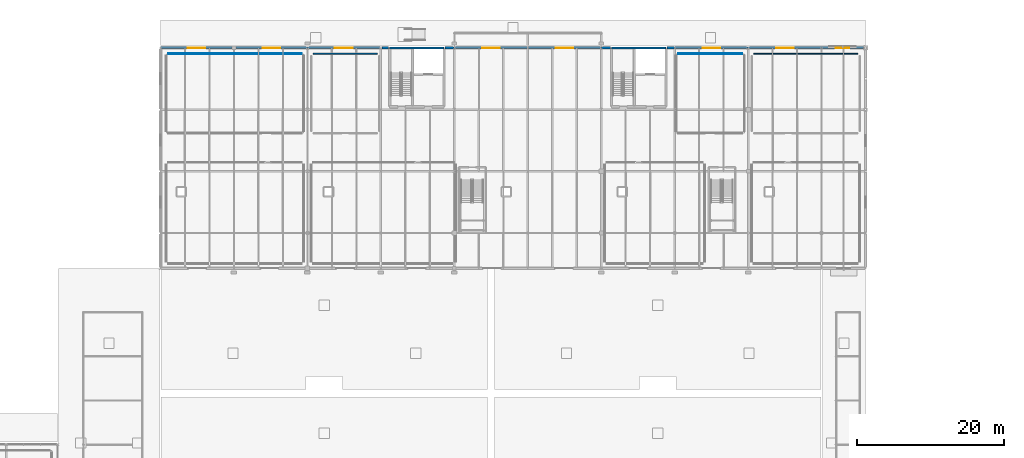
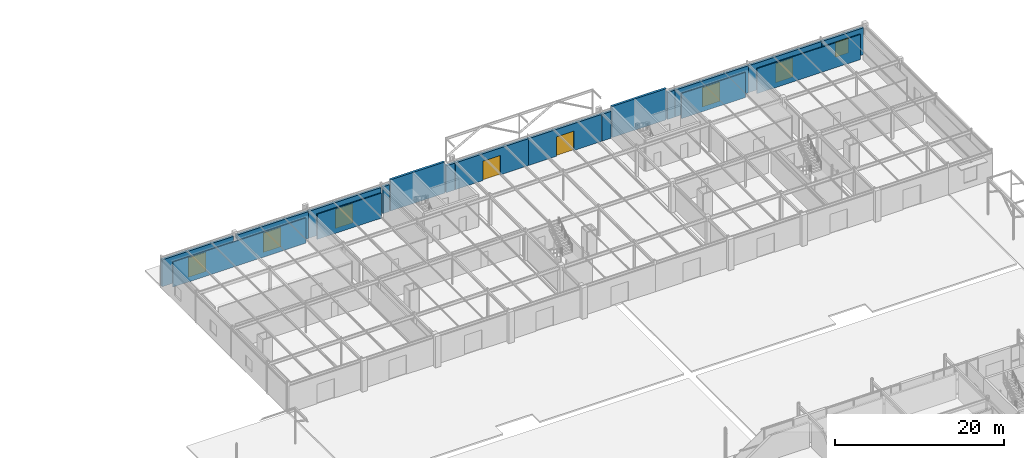
# One storey, part 97 of 119: 18 walls, 7 doors, 1 window, 8 openings.
"""IFC4 building model written with IfcOpenShell, lengths in metres."""

from ifc_helpers import new_model, si_unit, derived_unit, direction, frame, frame_2d, origin, place, context, subcontext, project, spatial, rectangle, extrude, material, layer, layer_set, type_object, element, fill, save


model = new_model("IFC4")

# Units and contexts
model_context = context("Model", 3, precision=1e-05, world=origin(), true_north=direction((0.0, 1.0)))
body_context = subcontext(model_context, "Body", "Model", "MODEL_VIEW")
ifc_project = project(units=[si_unit("LENGTHUNIT", "METRE"), si_unit("AREAUNIT", "SQUARE_METRE"), si_unit("VOLUMEUNIT", "CUBIC_METRE"), si_unit("PLANEANGLEUNIT", "RADIAN"), si_unit("MASSUNIT", "GRAM", prefix="KILO"), derived_unit("THERMALTRANSMITTANCEUNIT", [(si_unit("POWERUNIT", "WATT"), 1), (si_unit("LENGTHUNIT", "METRE"), -2), (si_unit("THERMODYNAMICTEMPERATUREUNIT", "KELVIN"), -1)])], contexts=[model_context])

# Site, building, storey
site_placement = place(None, origin())
site = spatial("IfcSite", under=ifc_project, at=site_placement, CompositionType="ELEMENT")
building_placement = place(site_placement, origin())
building = spatial("IfcBuilding", under=site, at=building_placement, Name="Cinnabar Yard Market Hall", CompositionType="ELEMENT")
storey_placement = place(building_placement, origin())
storey = spatial("IfcBuildingStorey", under=building, at=storey_placement, Name="L00", CompositionType="ELEMENT", Elevation=0.0)

# Walls
ifc_material_1 = material(Name="Acoustic steel-stud plasterboard", Category="steel")
ifc_layer_1 = layer(ifc_material_1, 0.1201171875)
ifc_layer_set_1 = layer_set([ifc_layer_1], Name="Acoustic steel-stud plasterboard")
wall_type_1 = type_object("IfcWallType", Name="WL-PT120", PredefinedType="PARTITIONING", material=ifc_layer_set_1)
wall_1_placement = place(storey_placement, frame((85.219970703125, 137.199951171875, 0.0), z_axis=(0.0, 0.0, 1.0), x_axis=(-1.0, 0.0, 0.0)))
element("IfcWall", 1, at=wall_1_placement, inside=storey, type_object=wall_type_1, Name="Partition Producers Community Room 01 north", PredefinedType="PARTITIONING", context=body_context, shape_type="SweptSolid", body=[
    extrude(rectangle(XDim=18.139892578125, YDim=0.1201171875, at=frame_2d((9.06982421875, 0.0), x_axis=(1.0, 0.0))), origin(), (0.0, 0.0, 1.0), 3.6201171875),
])
wall_2_placement = place(storey_placement, frame((145.219970703125, 137.199951171875, 0.0), z_axis=(0.0, 0.0, 1.0), x_axis=(-1.0, 0.0, 0.0)))
element("IfcWall", 2, at=wall_2_placement, inside=storey, type_object=wall_type_1, Name="Partition Market Heritage Community Room 02 north", PredefinedType="PARTITIONING", context=body_context, shape_type="SweptSolid", body=[
    extrude(rectangle(XDim=8.739990234375, YDim=0.1201171875, at=frame_2d((4.3701171875, 0.0), x_axis=(1.0, 0.0))), origin(), (0.0, 0.0, 1.0), 3.6201171875),
])
ifc_material_2 = material(Name="Moisture-resistant tiled service wall")
ifc_layer_2 = layer(ifc_material_2, 0.139892578125)
ifc_layer_set_2 = layer_set([ifc_layer_2], Name="Moisture-resistant tiled service wall")
wall_type_2 = type_object("IfcWallType", Name="WL-PT140", PredefinedType="PLUMBINGWALL", material=ifc_layer_set_2)
wall_3_placement = place(storey_placement, frame((160.919921875, 137.199951171875, 0.0), z_axis=(0.0, 0.0, 1.0), x_axis=(-1.0, 0.0, 0.0)))
element("IfcWall", 3, at=wall_3_placement, inside=storey, type_object=wall_type_2, Name="Partition North Wing Public and Accessible WC north", PredefinedType="PLUMBINGWALL", context=body_context, shape_type="SweptSolid", body=[
    extrude(rectangle(XDim=14.139892578125, YDim=0.139892578125, at=frame_2d((7.06982421875, 0.0), x_axis=(1.0, 0.0))), origin(), (0.0, 0.0, 1.0), 3.6201171875),
])
ifc_material_3 = material(Name="Fire-rated steel-stud plasterboard", Category="steel")
ifc_layer_3 = layer(ifc_material_3, 0.14990234375)
ifc_layer_set_3 = layer_set([ifc_layer_3], Name="Fire-rated steel-stud plasterboard")
wall_type_3 = type_object("IfcWallType", Name="WL-PT150", PredefinedType="PARTITIONING", material=ifc_layer_set_3)
wall_4_placement = place(storey_placement, frame((95.52001953125, 137.199951171875, 0.0), z_axis=(0.0, 0.0, 1.0), x_axis=(-1.0, 0.0, 0.0)))
element("IfcWall", 4, at=wall_4_placement, inside=storey, type_object=wall_type_3, Name="Partition Fire Control Room north", PredefinedType="PARTITIONING", context=body_context, shape_type="SweptSolid", body=[
    extrude(rectangle(XDim=8.739990234375, YDim=0.14990234375, at=frame_2d((4.3701171875, 0.0), x_axis=(1.0, 0.0))), origin(), (0.0, 0.0, 1.0), 3.6201171875),
])
ifc_material_4 = material(Name="Concrete 40 MPa", Category="concrete")
ifc_layer_4 = layer(ifc_material_4, 0.300048828125)
ifc_layer_set_4 = layer_set([ifc_layer_4], Name="Concrete 40 MPa")
wall_type_4 = type_object("IfcWallType", Name="WL-W-CORE", PredefinedType="SHEAR", material=ifc_layer_set_4)
for number, where, z_axis, x_axis, name in (
    (5, (104.60009765625, 138.0, 0.0), (0.0, 0.0, 1.0), (-1.0, 0.0, 0.0), "Core C5 North Shear Wall L00"),
    (6, (134.800048828125, 138.0, 0.0), (0.0, 0.0, 1.0), (-1.0, 0.0, 0.0), "Core C6 North Shear Wall L00"),
):
    element("IfcWall", number, at=place(storey_placement, frame(where, z_axis=z_axis, x_axis=x_axis)), inside=storey, type_object=wall_type_4, Name=name, PredefinedType="SHEAR", context=body_context, shape_type="SweptSolid", body=[
        extrude(rectangle(XDim=7.400146484375, YDim=0.300048828125, at=frame_2d((3.7001953125, 0.0), x_axis=(1.0, 0.0))), origin(), (0.0, 0.0, 1.0), 4.5),
    ])

# Wall, opening, door
ifc_material_5 = material(Name="Red sandstone ashlar over Concrete 32 MPa", Category="masonry")
ifc_layer_5 = layer(ifc_material_5, 0.35009765625)
ifc_layer_set_5 = layer_set([ifc_layer_5], Name="Red sandstone ashlar over Concrete 32 MPa")
wall_type_5 = type_object("IfcWallType", Name="WL-W-EXT1", PredefinedType="SOLIDWALL", material=ifc_layer_set_5)
wall_5_placement = place(storey_placement, frame((75.74609375, 138.0, 0.0), z_axis=(0.0, 0.0, 1.0), x_axis=(-1.0, 0.0, 0.0)))
wall_5 = element("IfcWall", 7, at=wall_5_placement, inside=storey, type_object=wall_type_5, Name="Wing North Wall L00 Bay 1", PredefinedType="SOLIDWALL", context=body_context, shape_type="SweptSolid", body=[
    extrude(rectangle(XDim=9.736083984375, YDim=0.35009765625, at=frame_2d((4.8681640625, 0.0), x_axis=(1.0, 0.0))), origin(), (0.0, 0.0, 1.0), 3.8798828125),
])
opening_1_placement = place(wall_5_placement, frame((3.66796875, 0.0, 0.0)))
opening_1 = element("IfcOpeningElement", 8, at=opening_1_placement, cuts=wall_5, Name="Opening ED-022", PredefinedType="OPENING", context=body_context, shape_type="SweptSolid", body=[
    extrude(rectangle(XDim=2.39990234375, YDim=2.800048828125, at=frame_2d((1.199951171875, 1.39990234375), x_axis=(1.0, 0.0))), frame((0.0, 0.18505859375, 0.0), z_axis=(0.0, -1.0, 0.0), x_axis=(1.0, 0.0, 0.0)), (0.0, 0.0, 1.0), 0.3701171875),
])
ifc_material_6 = material(Name="Anodised bronze aluminium and toughened glass", Category="aluminium")
door_type = type_object("IfcDoorType", Name="DR-D02", OperationType="NOTDEFINED", PredefinedType="DOOR", material=ifc_material_6)
door_1_placement = place(opening_1_placement, origin())
door_1 = element("IfcDoor", 9, at=door_1_placement, inside=storey, type_object=door_type, Name="Door ED-022", OperationType="DOUBLE_SWING_LEFT", OverallHeight=2.800048828125, OverallWidth=2.39990234375, PredefinedType="DOOR", context=body_context, shape_type="SweptSolid", body=[
    extrude(rectangle(XDim=2.39990234375, YDim=2.800048828125, at=frame_2d((1.199951171875, 1.39990234375), x_axis=(1.0, 0.0))), frame((0.0, 0.02490234375, 0.0), z_axis=(0.0, -1.0, 0.0), x_axis=(1.0, 0.0, 0.0)), (0.0, 0.0, 1.0), 0.050048828125),
])
fill(opening_1, door_1)

wall_6_placement = place(storey_placement, frame((85.989990234375, 138.0, 0.0), z_axis=(0.0, 0.0, 1.0), x_axis=(-1.0, 0.0, 0.0)))
wall_6 = element("IfcWall", 10, at=wall_6_placement, inside=storey, type_object=wall_type_5, Name="Wing North Wall L00 Bay 2", PredefinedType="SOLIDWALL", context=body_context, shape_type="SweptSolid", body=[
    extrude(rectangle(XDim=9.736083984375, YDim=0.35009765625, at=frame_2d((4.8681640625, 0.0), x_axis=(1.0, 0.0))), origin(), (0.0, 0.0, 1.0), 3.8798828125),
])
opening_2_placement = place(wall_6_placement, frame((3.66796875, 0.0, 0.0)))
opening_2 = element("IfcOpeningElement", 11, at=opening_2_placement, cuts=wall_6, Name="Opening ED-024", PredefinedType="OPENING", context=body_context, shape_type="SweptSolid", body=[
    extrude(rectangle(XDim=2.39990234375, YDim=2.800048828125, at=frame_2d((1.199951171875, 1.39990234375), x_axis=(1.0, 0.0))), frame((0.0, 0.18505859375, 0.0), z_axis=(0.0, -1.0, 0.0), x_axis=(1.0, 0.0, 0.0)), (0.0, 0.0, 1.0), 0.3701171875),
])
door_2_placement = place(opening_2_placement, origin())
door_2 = element("IfcDoor", 12, at=door_2_placement, inside=storey, type_object=door_type, Name="Door ED-024", OperationType="DOUBLE_SWING_LEFT", OverallHeight=2.800048828125, OverallWidth=2.39990234375, PredefinedType="DOOR", context=body_context, shape_type="SweptSolid", body=[
    extrude(rectangle(XDim=2.39990234375, YDim=2.800048828125, at=frame_2d((1.199951171875, 1.39990234375), x_axis=(1.0, 0.0))), frame((0.0, 0.02490234375, 0.0), z_axis=(0.0, -1.0, 0.0), x_axis=(1.0, 0.0, 0.0)), (0.0, 0.0, 1.0), 0.050048828125),
])
fill(opening_2, door_2)

wall_7_placement = place(storey_placement, frame((95.869384765625, 138.0, 0.0), z_axis=(0.0, 0.0, 1.0), x_axis=(-1.0, 0.0, 0.0)))
wall_7 = element("IfcWall", 13, at=wall_7_placement, inside=storey, type_object=wall_type_5, Name="Wing North Wall L00 Bay 3", PredefinedType="SOLIDWALL", context=body_context, shape_type="SweptSolid", body=[
    extrude(rectangle(XDim=9.859375, YDim=0.35009765625, at=frame_2d((4.9296875, 0.0), x_axis=(1.0, 0.0))), origin(), (0.0, 0.0, 1.0), 3.8798828125),
])
opening_3_placement = place(wall_7_placement, frame((3.729736328125, 0.0, 0.0)))
opening_3 = element("IfcOpeningElement", 14, at=opening_3_placement, cuts=wall_7, Name="Opening ED-026", PredefinedType="OPENING", context=body_context, shape_type="SweptSolid", body=[
    extrude(rectangle(XDim=2.39990234375, YDim=2.800048828125, at=frame_2d((1.199951171875, 1.39990234375), x_axis=(1.0, 0.0))), frame((0.0, 0.18505859375, 0.0), z_axis=(0.0, -1.0, 0.0), x_axis=(1.0, 0.0, 0.0)), (0.0, 0.0, 1.0), 0.3701171875),
])
door_3_placement = place(opening_3_placement, origin())
door_3 = element("IfcDoor", 15, at=door_3_placement, inside=storey, type_object=door_type, Name="Door ED-026", OperationType="DOUBLE_SWING_LEFT", OverallHeight=2.800048828125, OverallWidth=2.39990234375, PredefinedType="DOOR", context=body_context, shape_type="SweptSolid", body=[
    extrude(rectangle(XDim=2.39990234375, YDim=2.800048828125, at=frame_2d((1.199951171875, 1.39990234375), x_axis=(1.0, 0.0))), frame((0.0, 0.02490234375, 0.0), z_axis=(0.0, -1.0, 0.0), x_axis=(1.0, 0.0, 0.0)), (0.0, 0.0, 1.0), 0.050048828125),
])
fill(opening_3, door_3)

# Walls
wall_8_placement = place(storey_placement, frame((97.050048828125, 138.0, 0.0), z_axis=(0.0, 0.0, 1.0), x_axis=(-1.0, 0.0, 0.0)))
element("IfcWall", 16, at=wall_8_placement, inside=storey, type_object=wall_type_5, Name="Wing North Flank L00 Bay 4W", PredefinedType="SOLIDWALL", context=body_context, shape_type="SweptSolid", body=[
    extrude(rectangle(XDim=0.91943359375, YDim=0.35009765625, at=frame_2d((0.459716796875, 0.0), x_axis=(1.0, 0.0))), origin(), (0.0, 0.0, 1.0), 3.8798828125),
])
wall_9_placement = place(storey_placement, frame((105.989990234375, 138.0, 0.0), z_axis=(0.0, 0.0, 1.0), x_axis=(-1.0, 0.0, 0.0)))
element("IfcWall", 17, at=wall_9_placement, inside=storey, type_object=wall_type_5, Name="Wing North Flank L00 Bay 4E", PredefinedType="SOLIDWALL", context=body_context, shape_type="SweptSolid", body=[
    extrude(rectangle(XDim=1.239990234375, YDim=0.35009765625, at=frame_2d((0.6201171875, 0.0), x_axis=(1.0, 0.0))), origin(), (0.0, 0.0, 1.0), 3.8798828125),
])

# Wall, opening, door
wall_10_placement = place(storey_placement, frame((115.989990234375, 138.0, 0.0), z_axis=(0.0, 0.0, 1.0), x_axis=(-1.0, 0.0, 0.0)))
wall_10 = element("IfcWall", 18, at=wall_10_placement, inside=storey, type_object=wall_type_5, Name="Wing North Wall L00 Bay 5", PredefinedType="SOLIDWALL", context=body_context, shape_type="SweptSolid", body=[
    extrude(rectangle(XDim=9.97998046875, YDim=0.35009765625, at=frame_2d((4.989990234375, 0.0), x_axis=(1.0, 0.0))), origin(), (0.0, 0.0, 1.0), 3.8798828125),
])
opening_4_placement = place(wall_10_placement, frame((3.7900390625, 0.0, 0.0)))
opening_4 = element("IfcOpeningElement", 19, at=opening_4_placement, cuts=wall_10, Name="Opening ED-029", PredefinedType="OPENING", context=body_context, shape_type="SweptSolid", body=[
    extrude(rectangle(XDim=2.39990234375, YDim=2.800048828125, at=frame_2d((1.199951171875, 1.39990234375), x_axis=(1.0, 0.0))), frame((0.0, 0.18505859375, 0.0), z_axis=(0.0, -1.0, 0.0), x_axis=(1.0, 0.0, 0.0)), (0.0, 0.0, 1.0), 0.3701171875),
])
door_4_placement = place(opening_4_placement, origin())
door_4 = element("IfcDoor", 20, at=door_4_placement, inside=storey, type_object=door_type, Name="Door ED-029", OperationType="DOUBLE_SWING_LEFT", OverallHeight=2.800048828125, OverallWidth=2.39990234375, PredefinedType="DOOR", context=body_context, shape_type="SweptSolid", body=[
    extrude(rectangle(XDim=2.39990234375, YDim=2.800048828125, at=frame_2d((1.199951171875, 1.39990234375), x_axis=(1.0, 0.0))), frame((0.0, 0.02490234375, 0.0), z_axis=(0.0, -1.0, 0.0), x_axis=(1.0, 0.0, 0.0)), (0.0, 0.0, 1.0), 0.050048828125),
])
fill(opening_4, door_4)

wall_11_placement = place(storey_placement, frame((125.989013671875, 138.0, 0.0), z_axis=(0.0, 0.0, 1.0), x_axis=(-1.0, 0.0, 0.0)))
wall_11 = element("IfcWall", 21, at=wall_11_placement, inside=storey, type_object=wall_type_5, Name="Wing North Wall L00 Bay 6", PredefinedType="SOLIDWALL", context=body_context, shape_type="SweptSolid", body=[
    extrude(rectangle(XDim=9.97900390625, YDim=0.35009765625, at=frame_2d((4.989501953125, 0.0), x_axis=(1.0, 0.0))), origin(), (0.0, 0.0, 1.0), 3.8798828125),
])
opening_5_placement = place(wall_11_placement, frame((3.78955078125, 0.0, 0.0)))
opening_5 = element("IfcOpeningElement", 22, at=opening_5_placement, cuts=wall_11, Name="Opening ED-031", PredefinedType="OPENING", context=body_context, shape_type="SweptSolid", body=[
    extrude(rectangle(XDim=2.39990234375, YDim=2.800048828125, at=frame_2d((1.199951171875, 1.39990234375), x_axis=(1.0, 0.0))), frame((0.0, 0.18505859375, 0.0), z_axis=(0.0, -1.0, 0.0), x_axis=(1.0, 0.0, 0.0)), (0.0, 0.0, 1.0), 0.3701171875),
])
door_5_placement = place(opening_5_placement, origin())
door_5 = element("IfcDoor", 23, at=door_5_placement, inside=storey, type_object=door_type, Name="Door ED-031", OperationType="DOUBLE_SWING_LEFT", OverallHeight=2.800048828125, OverallWidth=2.39990234375, PredefinedType="DOOR", context=body_context, shape_type="SweptSolid", body=[
    extrude(rectangle(XDim=2.39990234375, YDim=2.800048828125, at=frame_2d((1.199951171875, 1.39990234375), x_axis=(1.0, 0.0))), frame((0.0, 0.02490234375, 0.0), z_axis=(0.0, -1.0, 0.0), x_axis=(1.0, 0.0, 0.0)), (0.0, 0.0, 1.0), 0.050048828125),
])
fill(opening_5, door_5)

# Walls
wall_12_placement = place(storey_placement, frame((127.25, 138.0, 0.0), z_axis=(0.0, 0.0, 1.0), x_axis=(-1.0, 0.0, 0.0)))
element("IfcWall", 24, at=wall_12_placement, inside=storey, type_object=wall_type_5, Name="Wing North Flank L00 Bay 7W", PredefinedType="SOLIDWALL", context=body_context, shape_type="SweptSolid", body=[
    extrude(rectangle(XDim=1.239013671875, YDim=0.35009765625, at=frame_2d((0.61962890625, 0.0), x_axis=(1.0, 0.0))), origin(), (0.0, 0.0, 1.0), 3.8798828125),
])
wall_13_placement = place(storey_placement, frame((135.989990234375, 138.0, 0.0), z_axis=(0.0, 0.0, 1.0), x_axis=(-1.0, 0.0, 0.0)))
element("IfcWall", 25, at=wall_13_placement, inside=storey, type_object=wall_type_5, Name="Wing North Flank L00 Bay 7E", PredefinedType="SOLIDWALL", context=body_context, shape_type="SweptSolid", body=[
    extrude(rectangle(XDim=1.0400390625, YDim=0.35009765625, at=frame_2d((0.52001953125, 0.0), x_axis=(1.0, 0.0))), origin(), (0.0, 0.0, 1.0), 3.8798828125),
])

# Wall, opening, door
wall_14_placement = place(storey_placement, frame((145.98828125, 138.0, 0.0), z_axis=(0.0, 0.0, 1.0), x_axis=(-1.0, 0.0, 0.0)))
wall_14 = element("IfcWall", 26, at=wall_14_placement, inside=storey, type_object=wall_type_5, Name="Wing North Wall L00 Bay 8", PredefinedType="SOLIDWALL", context=body_context, shape_type="SweptSolid", body=[
    extrude(rectangle(XDim=9.978271484375, YDim=0.35009765625, at=frame_2d((4.9892578125, 0.0), x_axis=(1.0, 0.0))), origin(), (0.0, 0.0, 1.0), 3.8798828125),
])
opening_6_placement = place(wall_14_placement, frame((3.7890625, 0.0, 0.0)))
opening_6 = element("IfcOpeningElement", 27, at=opening_6_placement, cuts=wall_14, Name="Opening ED-034", PredefinedType="OPENING", context=body_context, shape_type="SweptSolid", body=[
    extrude(rectangle(XDim=2.39990234375, YDim=2.800048828125, at=frame_2d((1.199951171875, 1.39990234375), x_axis=(1.0, 0.0))), frame((0.0, 0.18505859375, 0.0), z_axis=(0.0, -1.0, 0.0), x_axis=(1.0, 0.0, 0.0)), (0.0, 0.0, 1.0), 0.3701171875),
])
door_6_placement = place(opening_6_placement, origin())
door_6 = element("IfcDoor", 28, at=door_6_placement, inside=storey, type_object=door_type, Name="Door ED-034", OperationType="DOUBLE_SWING_LEFT", OverallHeight=2.800048828125, OverallWidth=2.39990234375, PredefinedType="DOOR", context=body_context, shape_type="SweptSolid", body=[
    extrude(rectangle(XDim=2.39990234375, YDim=2.800048828125, at=frame_2d((1.199951171875, 1.39990234375), x_axis=(1.0, 0.0))), frame((0.0, 0.02490234375, 0.0), z_axis=(0.0, -1.0, 0.0), x_axis=(1.0, 0.0, 0.0)), (0.0, 0.0, 1.0), 0.050048828125),
])
fill(opening_6, door_6)

wall_15_placement = place(storey_placement, frame((155.989990234375, 138.0, 0.0), z_axis=(0.0, 0.0, 1.0), x_axis=(-1.0, 0.0, 0.0)))
wall_15 = element("IfcWall", 29, at=wall_15_placement, inside=storey, type_object=wall_type_5, Name="Wing North Wall L00 Bay 9", PredefinedType="SOLIDWALL", context=body_context, shape_type="SweptSolid", body=[
    extrude(rectangle(XDim=9.978271484375, YDim=0.35009765625, at=frame_2d((4.9892578125, 0.0), x_axis=(1.0, 0.0))), origin(), (0.0, 0.0, 1.0), 3.8798828125),
])
opening_7_placement = place(wall_15_placement, frame((3.7890625, 0.0, 0.0)))
opening_7 = element("IfcOpeningElement", 30, at=opening_7_placement, cuts=wall_15, Name="Opening ED-036", PredefinedType="OPENING", context=body_context, shape_type="SweptSolid", body=[
    extrude(rectangle(XDim=2.39990234375, YDim=2.800048828125, at=frame_2d((1.199951171875, 1.39990234375), x_axis=(1.0, 0.0))), frame((0.0, 0.18505859375, 0.0), z_axis=(0.0, -1.0, 0.0), x_axis=(1.0, 0.0, 0.0)), (0.0, 0.0, 1.0), 0.3701171875),
])
door_7_placement = place(opening_7_placement, origin())
door_7 = element("IfcDoor", 31, at=door_7_placement, inside=storey, type_object=door_type, Name="Door ED-036", OperationType="DOUBLE_SWING_LEFT", OverallHeight=2.800048828125, OverallWidth=2.39990234375, PredefinedType="DOOR", context=body_context, shape_type="SweptSolid", body=[
    extrude(rectangle(XDim=2.39990234375, YDim=2.800048828125, at=frame_2d((1.199951171875, 1.39990234375), x_axis=(1.0, 0.0))), frame((0.0, 0.02490234375, 0.0), z_axis=(0.0, -1.0, 0.0), x_axis=(1.0, 0.0, 0.0)), (0.0, 0.0, 1.0), 0.050048828125),
])
fill(opening_7, door_7)

# Wall, opening, window
wall_16_placement = place(storey_placement, frame((161.696044921875, 138.0, 0.0), z_axis=(0.0, 0.0, 1.0), x_axis=(-1.0, 0.0, 0.0)))
wall_16 = element("IfcWall", 32, at=wall_16_placement, inside=storey, type_object=wall_type_5, Name="Wing North Wall L00 Bay 10", PredefinedType="SOLIDWALL", context=body_context, shape_type="SweptSolid", body=[
    extrude(rectangle(XDim=5.68603515625, YDim=0.35009765625, at=frame_2d((2.843017578125, 0.0), x_axis=(1.0, 0.0))), origin(), (0.0, 0.0, 1.0), 3.8798828125),
])
opening_8_placement = place(wall_16_placement, frame((1.943115234375, 0.0, 0.85009765625)))
opening_8 = element("IfcOpeningElement", 33, at=opening_8_placement, cuts=wall_16, Name="Opening W01", PredefinedType="OPENING", context=body_context, shape_type="SweptSolid", body=[
    extrude(rectangle(XDim=1.800048828125, YDim=2.14990234375, at=frame_2d((0.89990234375, 1.074951171875), x_axis=(1.0, 0.0))), frame((0.0, 0.18505859375, 0.0), z_axis=(0.0, -1.0, 0.0), x_axis=(1.0, 0.0, 0.0)), (0.0, 0.0, 1.0), 0.3701171875),
])
ifc_material_7 = material(Name="Low-E double glazing in bronze aluminium", Category="aluminium")
window_type = type_object("IfcWindowType", Name="WN-W01", PartitioningType="SINGLE_PANEL", PredefinedType="WINDOW", material=ifc_material_7)
window_placement = place(opening_8_placement, origin())
window = element("IfcWindow", 34, at=window_placement, inside=storey, type_object=window_type, Name="Window WN-V3N-L00-10", OverallHeight=2.14990234375, OverallWidth=1.800048828125, PartitioningType="SINGLE_PANEL", PredefinedType="WINDOW", context=body_context, shape_type="SweptSolid", body=[
    extrude(rectangle(XDim=1.800048828125, YDim=2.14990234375, at=frame_2d((0.89990234375, 1.074951171875), x_axis=(1.0, 0.0))), frame((0.0, 0.030029296875, 0.0), z_axis=(0.0, -1.0, 0.0), x_axis=(1.0, 0.0, 0.0)), (0.0, 0.0, 1.0), 0.06005859375),
])
fill(opening_8, window)

save(model, "model.ifc")
